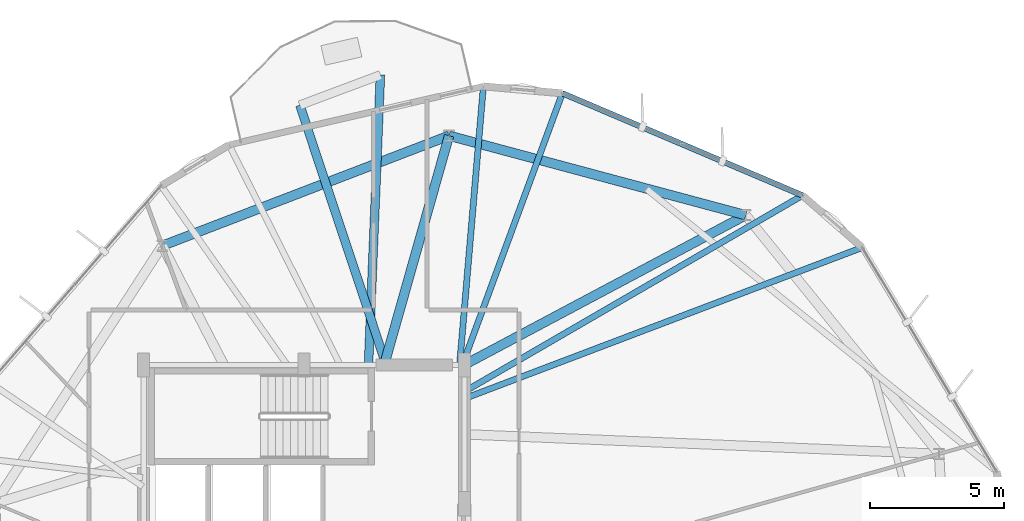
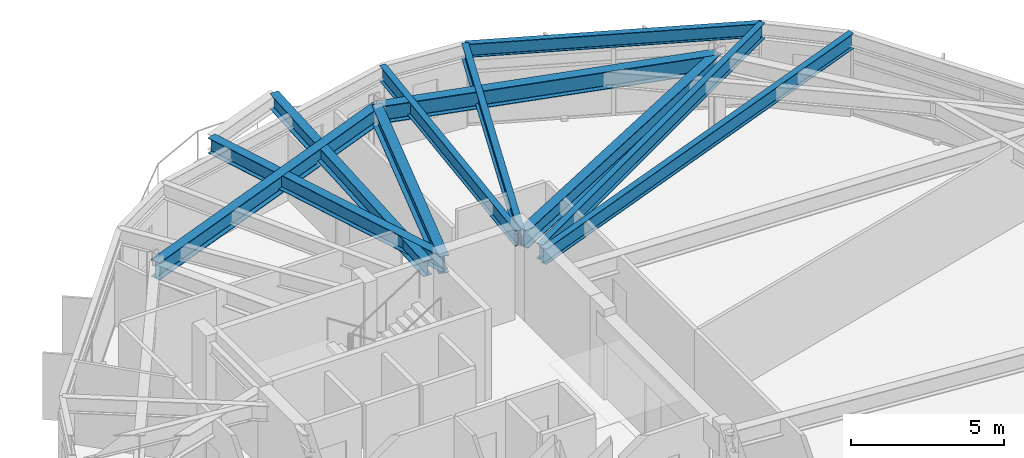
# One storey, part 16 of 27: 11 beams.
"""IFC4 building model written with IfcOpenShell, lengths in metres."""

from ifc_helpers import new_model, si_unit, direction, frame, origin, origin_2d, place, context, subcontext, project, spatial, i_section, extrude, material, material_profile, profile_set, type_object, element, save


model = new_model("IFC4")

# Units and contexts
model_context = context("Model", 3, precision=1e-05, world=origin(), true_north=direction((0.0, 1.0)))
body_context = subcontext(model_context, "Body", "Model", "MODEL_VIEW")
ifc_project = project(units=[si_unit("LENGTHUNIT", "METRE"), si_unit("AREAUNIT", "SQUARE_METRE"), si_unit("VOLUMEUNIT", "CUBIC_METRE"), si_unit("PLANEANGLEUNIT", "RADIAN"), si_unit("MASSUNIT", "GRAM", prefix="KILO")], contexts=[model_context])

# Site, building, storey
site_placement = place(None, origin())
site = spatial("IfcSite", under=ifc_project, at=site_placement, CompositionType="ELEMENT")
building_placement = place(site_placement, origin())
building = spatial("IfcBuilding", under=site, at=building_placement, Name="Soratama Intermodal Tower", CompositionType="ELEMENT")
storey_placement = place(building_placement, frame((0.0, 0.0, 212.199951171875)))
storey = spatial("IfcBuildingStorey", under=building, at=storey_placement, Name="L53", CompositionType="ELEMENT", Elevation=212.199951171875)

# Beams
ifc_material_1 = material(Name="Structural steel ASTM A992 Grade 50", Category="steel")
ifc_material_profile_1 = material_profile(ifc_material_1, i_section(OverallWidth=0.324951171875, OverallDepth=0.615966796875, WebThickness=0.013916015625, FlangeThickness=0.021484375, FilletRadius=0.013916015625, at=origin_2d()), Name="W24X117")
ifc_profile_set_1 = profile_set([ifc_material_profile_1], Name="Structural steel ASTM A992 Grade 50")
beam_type_1 = type_object("IfcBeamType", Name="BM-CANT-W24X117", PredefinedType="BEAM", material=ifc_profile_set_1)
beam_1_placement = place(storey_placement, frame((41.013916015625, 35.0400390625, 2.991943359375), z_axis=(0.041152610348, 0.999152872518, 0.0), x_axis=(-0.999152872518, 0.041152610348, 0.0)))
element("IfcBeam", 1, at=beam_1_placement, inside=storey, type_object=beam_type_1, Name="BM-L53-CANT-1-1", PredefinedType="BEAM", context=body_context, shape_type="SweptSolid", body=[
    extrude(i_section(OverallWidth=0.324951171875, OverallDepth=0.615966796875, WebThickness=0.013916015625, FlangeThickness=0.021484375, FilletRadius=0.013916015625, at=origin_2d()), origin(), (0.0, 0.0, 1.0), 10.815185546875),
])
beam_2_placement = place(storey_placement, frame((41.660888671875, 35.0380859375, 2.991943359375), z_axis=(-0.315502353311, 0.948924794204, 0.0), x_axis=(-0.948924794204, -0.315502353311, 0.0)))
element("IfcBeam", 2, at=beam_2_placement, inside=storey, type_object=beam_type_1, Name="BM-L53-CANT-1-2", PredefinedType="BEAM", context=body_context, shape_type="SweptSolid", body=[
    extrude(i_section(OverallWidth=0.324951171875, OverallDepth=0.615966796875, WebThickness=0.013916015625, FlangeThickness=0.021484375, FilletRadius=0.013916015625, at=origin_2d()), origin(), (0.0, 0.0, 1.0), 10.198974609375),
])
ifc_material_2 = material(Name="Structural steel ASTM A992 Grade 50", Category="steel")
ifc_material_profile_2 = material_profile(ifc_material_2, i_section(OverallWidth=0.35498046875, OverallDepth=0.695068359375, WebThickness=0.015380859375, FlangeThickness=0.02490234375, FilletRadius=0.01611328125, at=origin_2d()), Name="W27X146")
ifc_profile_set_2 = profile_set([ifc_material_profile_2], Name="Structural steel ASTM A992 Grade 50")
beam_type_2 = type_object("IfcBeamType", Name="BM-RING-W27X146", PredefinedType="BEAM", material=ifc_profile_set_2)
beam_3_placement = place(storey_placement, frame((55.1298828125, 40.59912109375, 2.95263671875), z_axis=(-0.965907374298, 0.258887899055, 0.0), x_axis=(-0.258887899055, -0.965907374298, 0.0)))
element("IfcBeam", 3, at=beam_3_placement, inside=storey, type_object=beam_type_2, Name="BM-L53-RING-02", PredefinedType="BEAM", context=body_context, shape_type="SweptSolid", body=[
    extrude(i_section(OverallWidth=0.35498046875, OverallDepth=0.695068359375, WebThickness=0.015380859375, FlangeThickness=0.02490234375, FilletRadius=0.01611328125, at=origin_2d()), origin(), (0.0, 0.0, 1.0), 11.49462890625),
])
beam_4_placement = place(storey_placement, frame((44.027099609375, 43.574951171875, 2.95263671875), z_axis=(-0.933575304305, -0.358381293026, 0.0), x_axis=(0.358381293026, -0.933575304305, 0.0)))
element("IfcBeam", 4, at=beam_4_placement, inside=storey, type_object=beam_type_2, Name="BM-L53-RING-03", PredefinedType="BEAM", context=body_context, shape_type="SweptSolid", body=[
    extrude(i_section(OverallWidth=0.35498046875, OverallDepth=0.695068359375, WebThickness=0.015380859375, FlangeThickness=0.02490234375, FilletRadius=0.01611328125, at=origin_2d()), origin(), (0.0, 0.0, 1.0), 11.495849609375),
])
beam_5_placement = place(storey_placement, frame((44.60009765625, 35.0, 2.95263671875), z_axis=(0.882935948236, 0.469493462482, 0.0), x_axis=(-0.469493462482, 0.882935948236, 0.0)))
element("IfcBeam", 5, at=beam_5_placement, inside=storey, type_object=beam_type_2, Name="BM-L53-RAD-02", PredefinedType="BEAM", context=body_context, shape_type="SweptSolid", body=[
    extrude(i_section(OverallWidth=0.35498046875, OverallDepth=0.695068359375, WebThickness=0.015380859375, FlangeThickness=0.02490234375, FilletRadius=0.01611328125, at=origin_2d()), origin(), (0.0, 0.0, 1.0), 11.92578125),
])
beam_6_placement = place(storey_placement, frame((41.60009765625, 35.0, 2.95263671875), z_axis=(0.272335865412, 0.96220225338, 0.0), x_axis=(-0.96220225338, 0.272335865412, 0.0)))
element("IfcBeam", 6, at=beam_6_placement, inside=storey, type_object=beam_type_2, Name="BM-L53-RAD-03", PredefinedType="BEAM", context=body_context, shape_type="SweptSolid", body=[
    extrude(i_section(OverallWidth=0.35498046875, OverallDepth=0.695068359375, WebThickness=0.015380859375, FlangeThickness=0.02490234375, FilletRadius=0.01611328125, at=origin_2d()), origin(), (0.0, 0.0, 1.0), 8.911865234375),
])
ifc_material_3 = material(Name="Structural steel ASTM A992 Grade 50", Category="steel")
ifc_material_profile_3 = material_profile(ifc_material_3, i_section(OverallWidth=0.2099609375, OverallDepth=0.537109375, WebThickness=0.010986328125, FlangeThickness=0.017333984375, FilletRadius=0.012939453125, at=origin_2d()), Name="W21X68")
ifc_profile_set_3 = profile_set([ifc_material_profile_3], Name="Structural steel ASTM A992 Grade 50")
beam_type_3 = type_object("IfcBeamType", Name="BM-SPN-W21X68", PredefinedType="SPANDREL", material=ifc_profile_set_3)
beam_7_placement = place(storey_placement, frame((57.257080078125, 41.339111328125, 3.031494140625), z_axis=(-0.920247907124, 0.391335903584, 0.0), x_axis=(-0.391335903584, -0.920247907124, 0.0)))
element("IfcBeam", 7, at=beam_7_placement, inside=storey, type_object=beam_type_3, Name="BS-L53-F01", PredefinedType="SPANDREL", context=body_context, shape_type="SweptSolid", body=[
    extrude(i_section(OverallWidth=0.2099609375, OverallDepth=0.537109375, WebThickness=0.010986328125, FlangeThickness=0.017333984375, FilletRadius=0.012939453125, at=origin_2d()), origin(), (0.0, 0.0, 1.0), 9.76904296875),
])
ifc_material_4 = material(Name="Structural steel ASTM A992 Grade 50", Category="steel")
ifc_material_profile_4 = material_profile(ifc_material_4, i_section(OverallWidth=0.22900390625, OverallDepth=0.612060546875, WebThickness=0.011962890625, FlangeThickness=0.01953125, FilletRadius=0.012939453125, at=origin_2d()), Name="W24X84")
ifc_profile_set_4 = profile_set([ifc_material_profile_4], Name="Structural steel ASTM A992 Grade 50")
beam_type_4 = type_object("IfcBeamType", Name="BM-TIE-W24X84", PredefinedType="BEAM", material=ifc_profile_set_4)
beam_8_placement = place(storey_placement, frame((44.635009765625, 34.014892578125, 2.994140625), z_axis=(0.864929520956, 0.501893339046, 0.0), x_axis=(-0.501893339046, 0.864929520956, 0.0)))
element("IfcBeam", 8, at=beam_8_placement, inside=storey, type_object=beam_type_4, Name="BM-L53-TIE0-01", PredefinedType="BEAM", context=body_context, shape_type="SweptSolid", body=[
    extrude(i_section(OverallWidth=0.22900390625, OverallDepth=0.612060546875, WebThickness=0.011962890625, FlangeThickness=0.01953125, FilletRadius=0.012939453125, at=origin_2d()), origin(), (0.0, 0.0, 1.0), 14.59326171875),
])
beam_9_placement = place(storey_placement, frame((44.541015625, 35.0380859375, 2.994140625), z_axis=(0.345392812428, 0.93845820638, 0.0), x_axis=(-0.93845820638, 0.345392812428, 0.0)))
element("IfcBeam", 9, at=beam_9_placement, inside=storey, type_object=beam_type_4, Name="BM-L53-TIE1-01", PredefinedType="BEAM", context=body_context, shape_type="SweptSolid", body=[
    extrude(i_section(OverallWidth=0.22900390625, OverallDepth=0.612060546875, WebThickness=0.011962890625, FlangeThickness=0.01953125, FilletRadius=0.012939453125, at=origin_2d()), origin(), (0.0, 0.0, 1.0), 10.787841796875),
])
beam_10_placement = place(storey_placement, frame((44.426025390625, 35.0400390625, 2.994140625), z_axis=(0.085021043441, 0.99637915583, 0.0), x_axis=(-0.99637915583, 0.085021043441, 0.0)))
element("IfcBeam", 10, at=beam_10_placement, inside=storey, type_object=beam_type_4, Name="BM-L53-TIE0-02", PredefinedType="BEAM", context=body_context, shape_type="SweptSolid", body=[
    extrude(i_section(OverallWidth=0.22900390625, OverallDepth=0.612060546875, WebThickness=0.011962890625, FlangeThickness=0.01953125, FilletRadius=0.012939453125, at=origin_2d()), origin(), (0.0, 0.0, 1.0), 10.4208984375),
])
beam_11_placement = place(storey_placement, frame((44.636962890625, 33.7490234375, 2.994140625), z_axis=(0.934857627942, 0.355022837968, 0.0), x_axis=(-0.355022837968, 0.934857627942, 0.0)))
element("IfcBeam", 11, at=beam_11_placement, inside=storey, type_object=beam_type_4, Name="BM-L53-TIE1-10", PredefinedType="BEAM", context=body_context, shape_type="SweptSolid", body=[
    extrude(i_section(OverallWidth=0.22900390625, OverallDepth=0.612060546875, WebThickness=0.011962890625, FlangeThickness=0.01953125, FilletRadius=0.012939453125, at=origin_2d()), origin(), (0.0, 0.0, 1.0), 15.89208984375),
])

save(model, "model.ifc")
